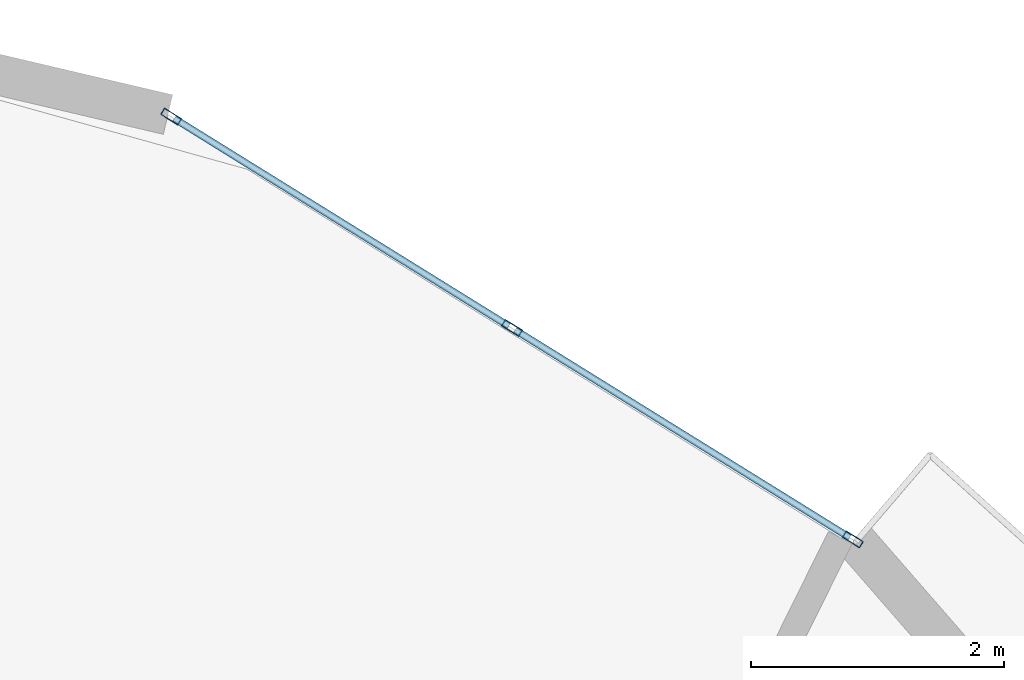
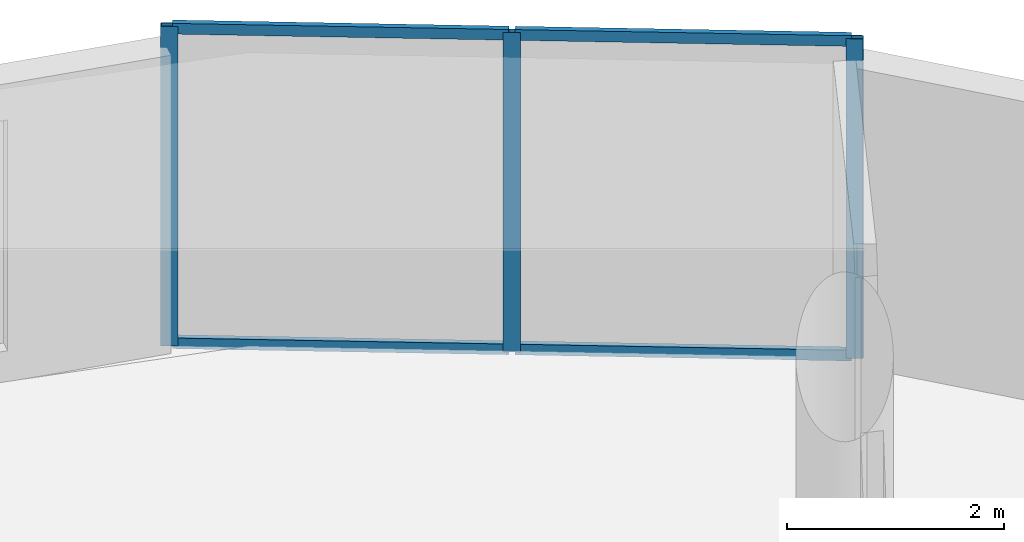
# One storey, part 15 of 22: 7 members, 1 element without a shape of its own.
"""IFC4 building model written with IfcOpenShell, lengths in metres."""

import ifcopenshell
import ifcopenshell.guid

model = None  # the IFC model being written
_history = None  # IfcOwnerHistory: only IFC2X3 demands one
_inside = {}  # id of a spatial element -> (the spatial element, [elements in it])
_under = {}  # id of a project, library or spatial element -> (it, [spatial elements below it])
_declared = {}  # id of a project -> (the project, [libraries it declares])
_typed = {}  # id of a type object -> (the type object, [elements of that type])
_made_of = {}  # id of a material, layer set ... -> (it, [elements and type objects made of it])


def new_model(schema):
    """Start an empty IFC model of exactly this schema.

    Asked for "IFC4X3", IfcOpenShell would pick the latest addendum, in which some entities
    have other attributes; the version numbers below select the first issue.
    IFC2X3 requires an IfcOwnerHistory on every rooted entity: one is made here for all.
    """
    global model, _history
    if schema == "IFC4X3":
        model = ifcopenshell.file(schema_version=(4, 3, 0, 0))
    else:
        model = ifcopenshell.file(schema=schema)
    _inside.clear()
    _under.clear()
    _declared.clear()
    _typed.clear()
    _made_of.clear()
    _history = None
    if model.schema == "IFC2X3":
        org = make("IfcOrganization", Name="unknown")
        user = make(
            "IfcPersonAndOrganization",
            ThePerson=make("IfcPerson", FamilyName="unknown"),
            TheOrganization=org,
        )
        app = make(
            "IfcApplication",
            ApplicationDeveloper=org,
            Version="unknown",
            ApplicationFullName="unknown",
            ApplicationIdentifier="unknown",
        )
        _history = make(
            "IfcOwnerHistory",
            OwningUser=user,
            OwningApplication=app,
            ChangeAction="ADDED",
            CreationDate=0,
        )
    return model


def make(cls, **values):
    """One entity of the class cls with the attributes given. An attribute that is None is left unset."""
    return model.create_entity(
        cls, **{name: value for name, value in values.items() if value is not None}
    )


def rooted(cls, **values):
    """An entity with a GlobalId (a new one), such as an element, a storey or a relation."""
    return make(cls, GlobalId=ifcopenshell.guid.new(), OwnerHistory=_history, **values)


def si_unit(unit_type, name, prefix=None):
    """IfcSIUnit, for example si_unit("LENGTHUNIT", "METRE", prefix="MILLI")."""
    return make("IfcSIUnit", UnitType=unit_type, Prefix=prefix, Name=name)


def assignment(units):
    """IfcUnitAssignment: the units of a project."""
    return None if units is None else make("IfcUnitAssignment", Units=units)


def point(xyz):
    """IfcCartesianPoint."""
    return None if xyz is None else make("IfcCartesianPoint", Coordinates=xyz)


def direction(xyz):
    """IfcDirection."""
    return None if xyz is None else make("IfcDirection", DirectionRatios=xyz)


def frame(location, z_axis=None, x_axis=None):
    """IfcAxis2Placement3D, a coordinate frame: its origin and axes. An axis left out is left unset."""
    return make(
        "IfcAxis2Placement3D",
        Location=point(location),
        Axis=direction(z_axis),
        RefDirection=direction(x_axis),
    )


def frame_2d(location, x_axis=None):
    """IfcAxis2Placement2D, a coordinate frame in the plane: its origin and x axis."""
    return make(
        "IfcAxis2Placement2D", Location=point(location), RefDirection=direction(x_axis)
    )


def origin():
    """The frame at (0, 0, 0) with its axes left unset."""
    return frame((0.0, 0.0, 0.0))


def origin_2d():
    """The frame at (0, 0) in the plane with its x axis left unset."""
    return frame_2d((0.0, 0.0))


def place(relative_to, where):
    """IfcLocalPlacement: puts the frame where relative to a parent placement (None: the world)."""
    return make(
        "IfcLocalPlacement", PlacementRelTo=relative_to, RelativePlacement=where
    )


def context(
    kind, dimensions, precision=None, world=None, true_north=None, identifier=None
):
    """IfcGeometricRepresentationContext, for example the 3D "Model" context."""
    return make(
        "IfcGeometricRepresentationContext",
        ContextIdentifier=identifier,
        ContextType=kind,
        CoordinateSpaceDimension=dimensions,
        Precision=precision,
        WorldCoordinateSystem=world,
        TrueNorth=true_north,
    )


def subcontext(parent, identifier, kind, view, scale=None):
    """IfcGeometricRepresentationSubContext, for example "Body" below "Model"."""
    return make(
        "IfcGeometricRepresentationSubContext",
        ContextIdentifier=identifier,
        ContextType=kind,
        ParentContext=parent,
        TargetScale=scale,
        TargetView=view,
    )


def project(units=None, contexts=None):
    """IfcProject with its units and contexts."""
    return rooted(
        "IfcProject",
        Name="project",
        RepresentationContexts=contexts,
        UnitsInContext=assignment(units),
    )


def spatial(cls, under=None, at=None, **own):
    """A site, building, storey or space (cls), placed at a placement, below another one or the project."""
    s = rooted(cls, ObjectPlacement=at, **own)
    if under is not None:
        _under.setdefault(under.id(), (under, []))[1].append(s)
    return s


def profile(cls, at=None, kind="AREA", **sizes):
    """A parametric profile (cls). Its sizes go by their IFC names, for example OverallWidth=200.0."""
    return make(cls, ProfileType=kind, Position=at, **sizes)


def hollow_rectangle(**sizes):
    """IfcRectangleHollowProfileDef."""
    return profile("IfcRectangleHollowProfileDef", **sizes)


def extrude(swept, where, along, depth):
    """IfcExtrudedAreaSolid: the profile swept, set in the frame where, extruded along a direction by depth."""
    return make(
        "IfcExtrudedAreaSolid",
        SweptArea=swept,
        Position=where,
        ExtrudedDirection=direction(along),
        Depth=depth,
    )


def shape(context_of_items, identifier, shape_type, items):
    """IfcShapeRepresentation: the items that make up one representation, for example the "Body"."""
    return make(
        "IfcShapeRepresentation",
        ContextOfItems=context_of_items,
        RepresentationIdentifier=identifier,
        RepresentationType=shape_type,
        Items=items,
    )


def source(mapping_origin, context_of_items, identifier, shape_type, items):
    """IfcRepresentationMap: a shape defined once, which mapped items show again and again."""
    return make(
        "IfcRepresentationMap",
        MappingOrigin=mapping_origin,
        MappedRepresentation=shape(context_of_items, identifier, shape_type, items),
    )


def transform(
    local_origin,
    x_axis=None,
    y_axis=None,
    z_axis=None,
    scale=None,
    scale2=None,
    scale3=None,
    uniform=True,
):
    """IfcCartesianTransformationOperator3D, or its non-uniform kind. x_axis, y_axis, z_axis: its Axis1, 2, 3."""
    if uniform:
        return make(
            "IfcCartesianTransformationOperator3D",
            Axis1=direction(x_axis),
            Axis2=direction(y_axis),
            LocalOrigin=point(local_origin),
            Scale=scale,
            Axis3=direction(z_axis),
        )
    return make(
        "IfcCartesianTransformationOperator3DnonUniform",
        Axis1=direction(x_axis),
        Axis2=direction(y_axis),
        LocalOrigin=point(local_origin),
        Scale=scale,
        Axis3=direction(z_axis),
        Scale2=scale2,
        Scale3=scale3,
    )


def mapped(mapping_source, mapping_target):
    """IfcMappedItem: shows the shape of a source again, moved by a transform."""
    return make(
        "IfcMappedItem", MappingSource=mapping_source, MappingTarget=mapping_target
    )


def material(Name=None, Category=None):
    """IfcMaterial."""
    return make("IfcMaterial", Name=Name, Category=Category)


def layer(
    of_material, thickness, ventilated=None, Name=None, Category=None, Priority=None
):
    """IfcMaterialLayer: one layer of a wall or slab, of a material (None: an air gap)."""
    return make(
        "IfcMaterialLayer",
        Material=of_material,
        LayerThickness=thickness,
        IsVentilated=ventilated,
        Name=Name,
        Category=Category,
        Priority=Priority,
    )


def layer_set(layers, Name=None):
    """IfcMaterialLayerSet."""
    return make("IfcMaterialLayerSet", MaterialLayers=layers, LayerSetName=Name)


def material_profile(
    of_material, cross_section, Name=None, Category=None, Priority=None
):
    """IfcMaterialProfile: a cross section and its material."""
    return make(
        "IfcMaterialProfile",
        Name=Name,
        Material=of_material,
        Profile=cross_section,
        Priority=Priority,
        Category=Category,
    )


def profile_set(profiles, Name=None, composite=None):
    """IfcMaterialProfileSet."""
    return make(
        "IfcMaterialProfileSet",
        Name=Name,
        MaterialProfiles=profiles,
        CompositeProfile=composite,
    )


def made_of(thing, what):
    """Note that an element or type object is made of a material, layer set ...; save() writes the relation."""
    if what is not None:
        _made_of.setdefault(what.id(), (what, []))[1].append(thing)
    return thing


def type_object(cls, material=None, **own):
    """A type object (cls), such as IfcWallType, which elements share."""
    return made_of(rooted(cls, **own), material)


def element(
    cls,
    number,
    at=None,
    inside=None,
    cuts=None,
    type_object=None,
    material=None,
    context=None,
    identifier="Body",
    shape_type=None,
    held_by="IfcProductDefinitionShape",
    body=None,
    shapes=None,
    **own,
):
    """One element of the class cls, such as IfcWall. Its Tag is "e" and its number.

    at: its placement. inside: the storey or other place that contains it. cuts: it is an
    opening in that element (IfcRelVoidsElement). A single representation is given by context,
    identifier, shape_type and body (its items); several are given by shapes. held_by: the class
    of the entity that holds the representations. save() writes the other relations.
    """
    e = rooted(cls, Tag="e%d" % number, ObjectPlacement=at, **own)
    if body is not None:
        shapes = [shape(context, identifier, shape_type, body)]
    if shapes is not None:
        e.Representation = make(held_by, Representations=shapes)
    if inside is not None:
        _inside.setdefault(inside.id(), (inside, []))[1].append(e)
    if cuts is not None:
        rooted(
            "IfcRelVoidsElement", RelatingBuildingElement=cuts, RelatedOpeningElement=e
        )
    if type_object is not None:
        _typed.setdefault(type_object.id(), (type_object, []))[1].append(e)
    return made_of(e, material)


def aggregate(whole, parts):
    """IfcRelAggregates: a whole, such as a stair, and the parts it consists of."""
    return rooted("IfcRelAggregates", RelatingObject=whole, RelatedObjects=parts)


def save(model, path):
    """Write the relations noted so far, then the file.

    IfcRelAggregates (storeys below a building ...), IfcRelContainedInSpatialStructure (elements
    in a storey), IfcRelDefinesByType, IfcRelAssociatesMaterial and IfcRelDeclares: one each for
    every whole, place, type object, material and project.
    """
    for whole, parts in _under.values():
        aggregate(whole, parts)
    for where, things in _inside.values():
        rooted(
            "IfcRelContainedInSpatialStructure",
            RelatedElements=things,
            RelatingStructure=where,
        )
    for kind, things in _typed.values():
        rooted("IfcRelDefinesByType", RelatedObjects=things, RelatingType=kind)
    for what, things in _made_of.values():
        rooted("IfcRelAssociatesMaterial", RelatedObjects=things, RelatingMaterial=what)
    for by, libraries in _declared.values():
        rooted("IfcRelDeclares", RelatingContext=by, RelatedDefinitions=libraries)
    model.write(path)


model = new_model("IFC4")

# Units and contexts
model_context = context("Model", 3, precision=1e-05, world=origin(), true_north=direction((0.0, 1.0)))
body_context = subcontext(model_context, "Body", "Model", "MODEL_VIEW")
ifc_project = project(units=[si_unit("LENGTHUNIT", "METRE"), si_unit("AREAUNIT", "SQUARE_METRE"), si_unit("VOLUMEUNIT", "CUBIC_METRE"), si_unit("PLANEANGLEUNIT", "RADIAN"), si_unit("MASSUNIT", "GRAM", prefix="KILO")], contexts=[model_context])

# Site, building, storey
site_placement = place(None, origin())
site = spatial("IfcSite", under=ifc_project, at=site_placement, CompositionType="ELEMENT")
building_placement = place(site_placement, origin())
building = spatial("IfcBuilding", under=site, at=building_placement, Name="Solvirekh Grand Hotel", CompositionType="ELEMENT")
storey_placement = place(building_placement, frame((0.0, 0.0, 227.199951171875)))
storey = spatial("IfcBuildingStorey", under=building, at=storey_placement, Name="L59", CompositionType="ELEMENT", Elevation=227.199951171875)

# Curtain wall, members
ifc_material = material(Name="Anodized Bronze Aluminium 6063-T6", Category="aluminium")
ifc_layer = layer(ifc_material, 0.159912109375)
ifc_layer_set = layer_set([ifc_layer], Name="Anodized Bronze Aluminium 6063-T6")
curtain_wall_type = type_object("IfcCurtainWallType", Name="CW_Sys4_HighZoneFlushBronzeCW", PredefinedType="NOTDEFINED", material=ifc_layer_set)
curtain_wall_placement = place(storey_placement, origin())
curtain_wall = element("IfcCurtainWall", 1, at=curtain_wall_placement, inside=storey, type_object=curtain_wall_type, Name="L59 unitised bronze-glass curtain wall CW-L59-C08", PredefinedType="NOTDEFINED")
ifc_material_profile_1 = material_profile(ifc_material, hollow_rectangle(XDim=0.06005859375, YDim=0.159912109375, WallThickness=0.0048828125, at=origin_2d()), Name="ALU RHS 160X60X5")
ifc_profile_set_1 = profile_set([ifc_material_profile_1], Name="Anodized Bronze Aluminium 6063-T6")
member_type_1 = type_object("IfcMemberType", Name="CWMullion_Sys4", PredefinedType="MULLION", material=ifc_profile_set_1)
shared_shape_1 = source(origin(), body_context, "Body", "SweptSolid", [
    extrude(hollow_rectangle(XDim=0.06005859375, YDim=0.159912109375, WallThickness=0.0048828125, at=origin_2d()), origin(), (0.0, 0.0, 1.0), 3.60009765625),
])
member_1_placement = place(storey_placement, frame((9.7744140625, 16.743896484375, 0.0), z_axis=(0.0, 0.0, 1.0), x_axis=(-0.527168034407, -0.849761062593, 0.0)))
member_1 = element("IfcMember", 2, at=member_1_placement, type_object=member_type_1, Name="U04 mullion 1", PredefinedType="MULLION", context=body_context, shape_type="MappedRepresentation", body=[
    mapped(shared_shape_1, transform((0.0, 0.0, 0.0), x_axis=(1.0, 0.0, 0.0), y_axis=(0.0, 1.0, 0.0), z_axis=(0.0, 0.0, 1.0), scale=1.0)),
])
member_2_placement = place(storey_placement, frame((7.08544921875, 18.412109375, 0.0), z_axis=(0.0, 0.0, 1.0), x_axis=(-0.527168034407, -0.849761062593, 0.0)))
member_2 = element("IfcMember", 3, at=member_2_placement, type_object=member_type_1, Name="U04 mullion 2", PredefinedType="MULLION", context=body_context, shape_type="MappedRepresentation", body=[
    mapped(shared_shape_1, transform((0.0, 0.0, 0.0), x_axis=(1.0, 0.0, 0.0), y_axis=(0.0, 1.0, 0.0), z_axis=(0.0, 0.0, 1.0), scale=1.0)),
])
member_3_placement = place(storey_placement, frame((4.396484375, 20.080078125, 0.0), z_axis=(0.0, 0.0, 1.0), x_axis=(-0.527168034407, -0.849761062593, 0.0)))
member_3 = element("IfcMember", 4, at=member_3_placement, type_object=member_type_1, Name="U04 mullion 3", PredefinedType="MULLION", context=body_context, shape_type="MappedRepresentation", body=[
    mapped(shared_shape_1, transform((0.0, 0.0, 0.0), x_axis=(1.0, 0.0, 0.0), y_axis=(0.0, 1.0, 0.0), z_axis=(0.0, 0.0, 1.0), scale=1.0)),
])
ifc_material_profile_2 = material_profile(ifc_material, hollow_rectangle(XDim=0.054931640625, YDim=0.1201171875, WallThickness=0.00390625, at=origin_2d()), Name="ALU RHS 120X55X4")
ifc_profile_set_2 = profile_set([ifc_material_profile_2], Name="Anodized Bronze Aluminium 6063-T6")
member_type_2 = type_object("IfcMemberType", Name="CWTransom_Sys4", PredefinedType="USERDEFINED", material=ifc_profile_set_2)
shared_shape_2 = source(origin(), body_context, "Body", "SweptSolid", [
    extrude(hollow_rectangle(XDim=0.054931640625, YDim=0.1201171875, WallThickness=0.00390625, at=origin_2d()), origin(), (0.0, 0.0, 1.0), 3.1044921875),
])
member_4_placement = place(storey_placement, frame((9.7490234375, 16.759521484375, 0.027587890625), z_axis=(-0.849730069338, 0.527217990268, 0.0), x_axis=(-0.527217990268, -0.849730069338, 0.0)))
member_4 = element("IfcMember", 5, at=member_4_placement, type_object=member_type_2, Name="U04 transom 1.1", ObjectType="TRANSOM", PredefinedType="USERDEFINED", context=body_context, shape_type="MappedRepresentation", body=[
    mapped(shared_shape_2, transform((0.0, 0.0, 0.0), x_axis=(1.0, 0.0, 0.0), y_axis=(0.0, 1.0, 0.0), z_axis=(0.0, 0.0, 1.0), scale=1.0)),
])
member_5_placement = place(storey_placement, frame((9.7490234375, 16.759521484375, 3.572509765625), z_axis=(-0.849730069338, 0.527217990268, 0.0), x_axis=(-0.527217990268, -0.849730069338, 0.0)))
member_5 = element("IfcMember", 6, at=member_5_placement, type_object=member_type_2, Name="U04 transom 1.2", ObjectType="TRANSOM", PredefinedType="USERDEFINED", context=body_context, shape_type="MappedRepresentation", body=[
    mapped(shared_shape_2, transform((0.0, 0.0, 0.0), x_axis=(1.0, 0.0, 0.0), y_axis=(0.0, 1.0, 0.0), z_axis=(0.0, 0.0, 1.0), scale=1.0)),
])
shared_shape_3 = source(origin(), body_context, "Body", "SweptSolid", [
    extrude(hollow_rectangle(XDim=0.054931640625, YDim=0.1201171875, WallThickness=0.00390625, at=origin_2d()), origin(), (0.0, 0.0, 1.0), 3.104736328125),
])
member_6_placement = place(storey_placement, frame((7.06005859375, 18.427734375, 0.027587890625), z_axis=(-0.849751926468, 0.52718276097, 0.0), x_axis=(-0.52718276097, -0.849751926468, 0.0)))
member_6 = element("IfcMember", 7, at=member_6_placement, type_object=member_type_2, Name="U04 transom 2.1", ObjectType="TRANSOM", PredefinedType="USERDEFINED", context=body_context, shape_type="MappedRepresentation", body=[
    mapped(shared_shape_3, transform((0.0, 0.0, 0.0), x_axis=(1.0, 0.0, 0.0), y_axis=(0.0, 1.0, 0.0), z_axis=(0.0, 0.0, 1.0), scale=1.0)),
])
member_7_placement = place(storey_placement, frame((7.06005859375, 18.427734375, 3.572509765625), z_axis=(-0.849751926468, 0.52718276097, 0.0), x_axis=(-0.52718276097, -0.849751926468, 0.0)))
member_7 = element("IfcMember", 8, at=member_7_placement, type_object=member_type_2, Name="U04 transom 2.2", ObjectType="TRANSOM", PredefinedType="USERDEFINED", context=body_context, shape_type="MappedRepresentation", body=[
    mapped(shared_shape_3, transform((0.0, 0.0, 0.0), x_axis=(1.0, 0.0, 0.0), y_axis=(0.0, 1.0, 0.0), z_axis=(0.0, 0.0, 1.0), scale=1.0)),
])
aggregate(curtain_wall, [member_1, member_2, member_3, member_4, member_5, member_6, member_7])

save(model, "model.ifc")
